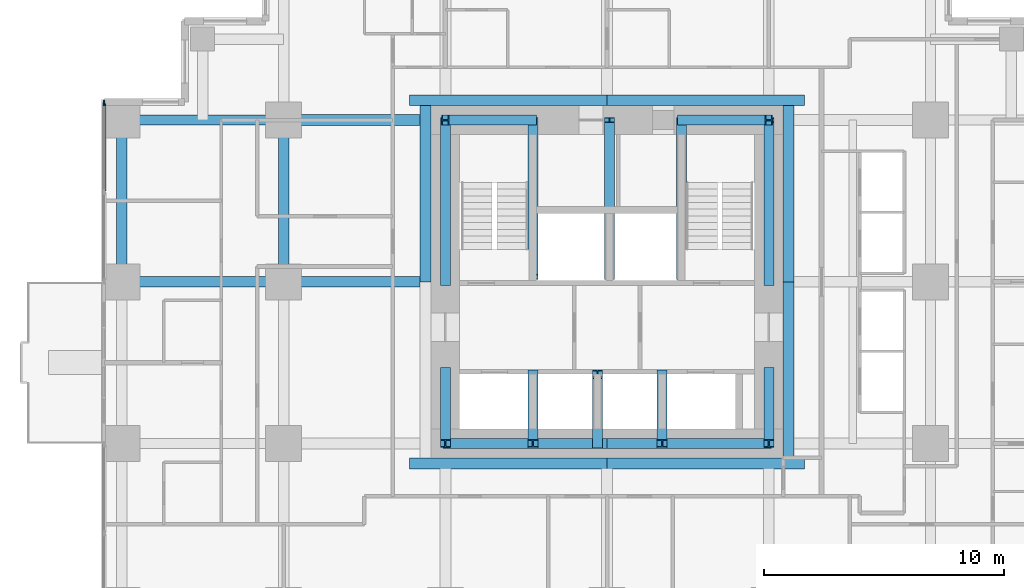
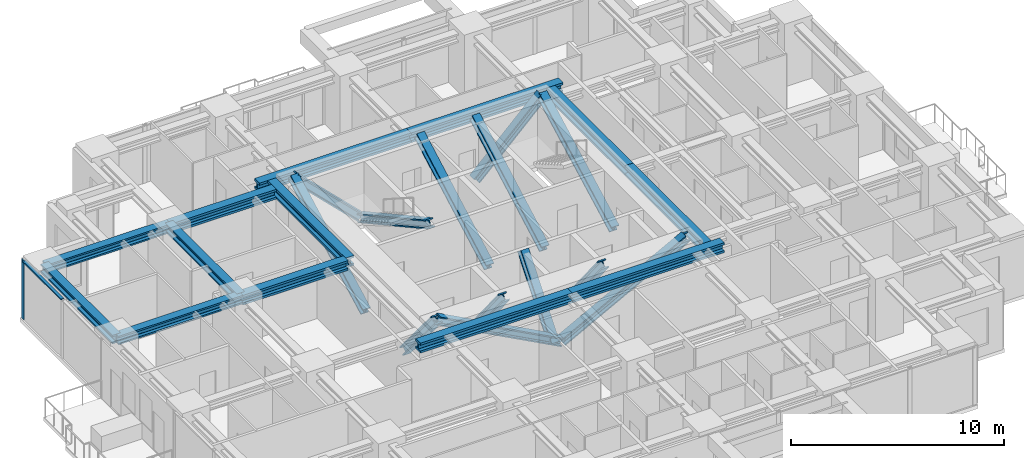
# One storey, part 3 of 13: 16 members, 13 beams, 1 element without a shape of its own.
"""IFC4 building model written with IfcOpenShell, lengths in metres."""

from ifc_helpers import new_model, si_unit, direction, frame, origin, origin_2d, place, context, subcontext, project, spatial, rectangle, i_section, extrude, material, material_profile, profile_set, type_object, element, aggregate, save


model = new_model("IFC4")

# Units and contexts
model_context = context("Model", 3, precision=1e-05, world=origin(), true_north=direction((0.0, 1.0)))
body_context = subcontext(model_context, "Body", "Model", "MODEL_VIEW")
ifc_project = project(units=[si_unit("LENGTHUNIT", "METRE"), si_unit("AREAUNIT", "SQUARE_METRE"), si_unit("VOLUMEUNIT", "CUBIC_METRE"), si_unit("PLANEANGLEUNIT", "RADIAN"), si_unit("MASSUNIT", "GRAM", prefix="KILO")], contexts=[model_context])

# Site, building, storey
site_placement = place(None, origin())
site = spatial("IfcSite", under=ifc_project, at=site_placement, CompositionType="ELEMENT")
building_placement = place(site_placement, origin())
building = spatial("IfcBuilding", under=site, at=building_placement, Name="Nyansa Garden Tower", CompositionType="ELEMENT")
storey_placement = place(building_placement, frame((0.0, 0.0, 123.300048828125)))
storey = spatial("IfcBuildingStorey", under=building, at=storey_placement, Name="L33", CompositionType="ELEMENT", Elevation=123.300048828125)

# Curtain wall, member
ifc_material_1 = material(Name="Black anodised aluminium, dark tinted double glazing", Category="aluminium")
curtain_wall_type = type_object("IfcCurtainWallType", Name="Inner skin curtain wall ISW-B", PredefinedType="USERDEFINED", material=ifc_material_1)
curtain_wall_placement = place(storey_placement, origin())
curtain_wall = element("IfcCurtainWall", 1, at=curtain_wall_placement, inside=storey, type_object=curtain_wall_type, Name="Inner skin curtain wall L33 W", ObjectType="UNITISED CURTAIN WALL", PredefinedType="USERDEFINED")
ifc_material_2 = material(Name="Black anodised aluminium", Category="aluminium")
ifc_material_profile_1 = material_profile(ifc_material_2, rectangle(XDim=0.06494140625, YDim=0.22509765625, at=origin_2d()), Name="Mullion 225x65")
ifc_profile_set_1 = profile_set([ifc_material_profile_1], Name="Black anodised aluminium")
member_type_1 = type_object("IfcMemberType", Name="Mullion ISW-B 225x65", PredefinedType="MULLION", material=ifc_profile_set_1)
member_1_placement = place(storey_placement, frame((-0.75, 27.717529296875, 0.0), z_axis=(0.0, 0.0, 1.0), x_axis=(1.0, 0.0, 0.0)))
member_1 = element("IfcMember", 2, at=member_1_placement, type_object=member_type_1, Name="ISW-B mullion 1", PredefinedType="MULLION", context=body_context, shape_type="SweptSolid", body=[
    extrude(rectangle(XDim=0.06494140625, YDim=0.22509765625, at=origin_2d()), origin(), (0.0, 0.0, 1.0), 3.375),
])

# Members
ifc_material_3 = material(Name="Steel S355", Category="steel")
ifc_material_profile_2 = material_profile(ifc_material_3, i_section(OverallWidth=0.41796875, OverallDepth=0.455078125, WebThickness=0.0419921875, FlangeThickness=0.067626953125, FilletRadius=0.014892578125, at=origin_2d()), Name="HD 400x463")
ifc_profile_set_2 = profile_set([ifc_material_profile_2], Name="Steel S355")
member_type_2 = type_object("IfcMemberType", Name="Perimeter brace HD 400x463", PredefinedType="BRACE", material=ifc_profile_set_2)
for number, where, z_axis, x_axis, name in (
    (3, (20.25, 13.5, 0.0), (-0.882360891967, 0.0, 0.470573327259), (0.0, -1.0, 0.0), "Core brace CS1 L33"),
    (4, (20.25, 13.5, 0.0), (0.882360891967, 0.0, 0.470573327259), (0.0, 1.0, 0.0), "Core brace CS2 L33"),
):
    element("IfcMember", number, at=place(storey_placement, frame(where, z_axis=z_axis, x_axis=x_axis)), inside=storey, type_object=member_type_2, Name=name, PredefinedType="BRACE", context=body_context, shape_type="SweptSolid", body=[
        extrude(i_section(OverallWidth=0.41796875, OverallDepth=0.455078125, WebThickness=0.0419921875, FlangeThickness=0.067626953125, FilletRadius=0.014892578125, at=origin_2d()), origin(), (0.0, 0.0, 1.0), 7.64990234375),
    ])
for number, where, z_axis, x_axis, name in (
    (5, (17.14990234375, 27.0, 0.0), (-0.711971340796, 0.0, 0.702208523079), (0.0, -1.0, 0.0), "Core brace CN3 L33"),
    (6, (23.35009765625, 27.0, 0.0), (0.711971340796, 0.0, 0.702208523079), (0.0, 1.0, 0.0), "Core brace CN4 L33"),
):
    element("IfcMember", number, at=place(storey_placement, frame(where, z_axis=z_axis, x_axis=x_axis)), inside=storey, type_object=member_type_2, Name=name, PredefinedType="BRACE", context=body_context, shape_type="SweptSolid", body=[
        extrude(i_section(OverallWidth=0.41796875, OverallDepth=0.455078125, WebThickness=0.0419921875, FlangeThickness=0.067626953125, FilletRadius=0.014892578125, at=origin_2d()), origin(), (0.0, 0.0, 1.0), 5.12646484375),
    ])
member_2_placement = place(storey_placement, frame((13.5, 16.5, 0.0), z_axis=(0.0, -0.640199773186, 0.768208468069), x_axis=(1.0, 0.0, 0.0)))
element("IfcMember", 7, at=member_2_placement, inside=storey, type_object=member_type_2, Name="Core brace CW5 L33", PredefinedType="BRACE", context=body_context, shape_type="SweptSolid", body=[
    extrude(i_section(OverallWidth=0.41796875, OverallDepth=0.455078125, WebThickness=0.0419921875, FlangeThickness=0.067626953125, FilletRadius=0.014892578125, at=origin_2d()), origin(), (0.0, 0.0, 1.0), 4.68603515625),
])
member_3_placement = place(storey_placement, frame((13.5, 20.199951171875, 0.0), z_axis=(0.0, 0.883797178129, 0.467870225524), x_axis=(-1.0, 0.0, 0.0)))
element("IfcMember", 8, at=member_3_placement, inside=storey, type_object=member_type_2, Name="Core brace CW6 L33", PredefinedType="BRACE", context=body_context, shape_type="SweptSolid", body=[
    extrude(i_section(OverallWidth=0.41796875, OverallDepth=0.455078125, WebThickness=0.0419921875, FlangeThickness=0.067626953125, FilletRadius=0.014892578125, at=origin_2d()), origin(), (0.0, 0.0, 1.0), 7.694091796875),
])
member_4_placement = place(storey_placement, frame((27.0, 16.5, 0.0), z_axis=(0.0, -0.640199773186, 0.768208468069), x_axis=(1.0, 0.0, 0.0)))
element("IfcMember", 9, at=member_4_placement, inside=storey, type_object=member_type_2, Name="Core brace CE7 L33", PredefinedType="BRACE", context=body_context, shape_type="SweptSolid", body=[
    extrude(i_section(OverallWidth=0.41796875, OverallDepth=0.455078125, WebThickness=0.0419921875, FlangeThickness=0.067626953125, FilletRadius=0.014892578125, at=origin_2d()), origin(), (0.0, 0.0, 1.0), 4.68603515625),
])
member_5_placement = place(storey_placement, frame((27.0, 20.199951171875, 0.0), z_axis=(0.0, 0.883797178129, 0.467870225524), x_axis=(-1.0, 0.0, 0.0)))
element("IfcMember", 10, at=member_5_placement, inside=storey, type_object=member_type_2, Name="Core brace CE8 L33", PredefinedType="BRACE", context=body_context, shape_type="SweptSolid", body=[
    extrude(i_section(OverallWidth=0.41796875, OverallDepth=0.455078125, WebThickness=0.0419921875, FlangeThickness=0.067626953125, FilletRadius=0.014892578125, at=origin_2d()), origin(), (0.0, 0.0, 1.0), 7.694091796875),
])
for number, where, z_axis, x_axis, name in (
    (11, (17.14990234375, 27.0, 0.0), (0.0, -0.876366901673, 0.481644115143), (1.0, 0.0, 0.0), "Core brace CWS9 L33"),
    (12, (23.35009765625, 20.449951171875, 0.0), (0.0, 0.876366901673, 0.481644115143), (-1.0, 0.0, 0.0), "Core brace CES10 L33"),
):
    element("IfcMember", number, at=place(storey_placement, frame(where, z_axis=z_axis, x_axis=x_axis)), inside=storey, type_object=member_type_2, Name=name, PredefinedType="BRACE", context=body_context, shape_type="SweptSolid", body=[
        extrude(i_section(OverallWidth=0.41796875, OverallDepth=0.455078125, WebThickness=0.0419921875, FlangeThickness=0.067626953125, FilletRadius=0.014892578125, at=origin_2d()), origin(), (0.0, 0.0, 1.0), 7.47412109375),
    ])
for number, where, z_axis, x_axis, name in (
    (13, (17.14990234375, 16.39990234375, 0.0), (0.0, -0.627332207022, 0.778751758928), (1.0, 0.0, 0.0), "Core brace CSW11 L33"),
    (14, (19.85009765625, 13.5, 0.0), (0.0, 0.627332207022, 0.778751758928), (-1.0, 0.0, 0.0), "Core brace CSW12 L33"),
    (15, (22.550048828125, 16.39990234375, 0.0), (0.0, -0.627332207022, 0.778751758928), (1.0, 0.0, 0.0), "Core brace CSW13 L33"),
):
    element("IfcMember", number, at=place(storey_placement, frame(where, z_axis=z_axis, x_axis=x_axis)), inside=storey, type_object=member_type_2, Name=name, PredefinedType="BRACE", context=body_context, shape_type="SweptSolid", body=[
        extrude(i_section(OverallWidth=0.41796875, OverallDepth=0.455078125, WebThickness=0.0419921875, FlangeThickness=0.067626953125, FilletRadius=0.014892578125, at=origin_2d()), origin(), (0.0, 0.0, 1.0), 4.62255859375),
    ])
member_6_placement = place(storey_placement, frame((20.35009765625, 20.449951171875, 0.0), z_axis=(0.0, 0.876366901673, 0.481644115143), x_axis=(-1.0, 0.0, 0.0)))
element("IfcMember", 16, at=member_6_placement, inside=storey, type_object=member_type_2, Name="Core brace CNW14 L33", PredefinedType="BRACE", context=body_context, shape_type="SweptSolid", body=[
    extrude(i_section(OverallWidth=0.41796875, OverallDepth=0.455078125, WebThickness=0.0419921875, FlangeThickness=0.067626953125, FilletRadius=0.014892578125, at=origin_2d()), origin(), (0.0, 0.0, 1.0), 7.47412109375),
])

# Beams
ifc_material_4 = material(Name="Steel S355", Category="steel")
ifc_material_profile_3 = material_profile(ifc_material_4, i_section(OverallWidth=0.431884765625, OverallDepth=0.498046875, WebThickness=0.0556640625, FlangeThickness=0.0888671875, FilletRadius=0.014892578125, at=origin_2d()), Name="HD 400x744")
ifc_profile_set_3 = profile_set([ifc_material_profile_3], Name="Steel S355")
beam_type_1 = type_object("IfcBeamType", Name="Steel beam SBB1-744 HD 400x744", PredefinedType="BEAM", material=ifc_profile_set_3)
for number, where, z_axis, x_axis, name in (
    (17, (0.0, 20.25, 3.1259765625), (1.0, 0.0, 0.0), (0.0, 1.0, 0.0), "Steel beam 2/G-3/G L34"),
    (18, (0.0, 27.0, 3.1259765625), (1.0, 0.0, 0.0), (0.0, 1.0, 0.0), "Steel beam 2/H-3/H L34"),
    (19, (6.75, 20.25, 3.1259765625), (0.0, 1.0, 0.0), (-1.0, 0.0, 0.0), "Steel beam 3/G-3/H L34"),
):
    element("IfcBeam", number, at=place(storey_placement, frame(where, z_axis=z_axis, x_axis=x_axis)), inside=storey, type_object=beam_type_1, Name=name, PredefinedType="BEAM", context=body_context, shape_type="SweptSolid", body=[
        extrude(i_section(OverallWidth=0.431884765625, OverallDepth=0.498046875, WebThickness=0.0556640625, FlangeThickness=0.0888671875, FilletRadius=0.014892578125, at=origin_2d()), origin(), (0.0, 0.0, 1.0), 6.75),
    ])
ifc_material_5 = material(Name="Steel S355", Category="steel")
ifc_material_profile_4 = material_profile(ifc_material_5, i_section(OverallWidth=0.4541015625, OverallDepth=0.569091796875, WebThickness=0.077880859375, FlangeThickness=0.125, FilletRadius=0.014892578125, at=origin_2d()), Name="HD 400x1086")
ifc_profile_set_4 = profile_set([ifc_material_profile_4], Name="Steel S355")
beam_type_2 = type_object("IfcBeamType", Name="Steel beam SCL-1086 HD 400x1086", PredefinedType="BEAM", material=ifc_profile_set_4)
for number, where, z_axis, x_axis, name in (
    (20, (6.75, 20.25, 3.09033203125), (1.0, 0.0, 0.0), (0.0, 1.0, 0.0), "Steel beam 3/G-12.450/G L34"),
    (21, (6.75, 27.0, 3.09033203125), (1.0, 0.0, 0.0), (0.0, 1.0, 0.0), "Steel beam 3/H-12.450/H L34"),
):
    element("IfcBeam", number, at=place(storey_placement, frame(where, z_axis=z_axis, x_axis=x_axis)), inside=storey, type_object=beam_type_2, Name=name, PredefinedType="BEAM", context=body_context, shape_type="SweptSolid", body=[
        extrude(i_section(OverallWidth=0.4541015625, OverallDepth=0.569091796875, WebThickness=0.077880859375, FlangeThickness=0.125, FilletRadius=0.014892578125, at=origin_2d()), origin(), (0.0, 0.0, 1.0), 5.699951171875),
    ])
for number, where, z_axis, x_axis, name in (
    (22, (12.0, 12.673095703125, 3.09033203125), (1.0, 0.0, 0.0), (0.0, 1.0, 0.0), "Steel core ledger beam S.1 L34"),
    (23, (20.25, 12.673095703125, 3.09033203125), (1.0, 0.0, 0.0), (0.0, 1.0, 0.0), "Steel core ledger beam S.2 L34"),
):
    element("IfcBeam", number, at=place(storey_placement, frame(where, z_axis=z_axis, x_axis=x_axis)), inside=storey, type_object=beam_type_2, Name=name, PredefinedType="BEAM", context=body_context, shape_type="SweptSolid", body=[
        extrude(i_section(OverallWidth=0.4541015625, OverallDepth=0.569091796875, WebThickness=0.077880859375, FlangeThickness=0.125, FilletRadius=0.014892578125, at=origin_2d()), origin(), (0.0, 0.0, 1.0), 8.25),
    ])
for number, where, z_axis, x_axis, name in (
    (24, (27.826904296875, 12.89990234375, 3.09033203125), (0.0, 1.0, 0.0), (-1.0, 0.0, 0.0), "Steel core ledger beam E.1 L34"),
    (25, (27.826904296875, 20.25, 3.09033203125), (0.0, 1.0, 0.0), (-1.0, 0.0, 0.0), "Steel core ledger beam E.2 L34"),
):
    element("IfcBeam", number, at=place(storey_placement, frame(where, z_axis=z_axis, x_axis=x_axis)), inside=storey, type_object=beam_type_2, Name=name, PredefinedType="BEAM", context=body_context, shape_type="SweptSolid", body=[
        extrude(i_section(OverallWidth=0.4541015625, OverallDepth=0.569091796875, WebThickness=0.077880859375, FlangeThickness=0.125, FilletRadius=0.014892578125, at=origin_2d()), origin(), (0.0, 0.0, 1.0), 7.35009765625),
    ])
for number, where, z_axis, x_axis, name in (
    (26, (28.5, 27.826904296875, 3.09033203125), (-1.0, 0.0, 0.0), (0.0, -1.0, 0.0), "Steel core ledger beam N.1 L34"),
    (27, (20.25, 27.826904296875, 3.09033203125), (-1.0, 0.0, 0.0), (0.0, -1.0, 0.0), "Steel core ledger beam N.2 L34"),
):
    element("IfcBeam", number, at=place(storey_placement, frame(where, z_axis=z_axis, x_axis=x_axis)), inside=storey, type_object=beam_type_2, Name=name, PredefinedType="BEAM", context=body_context, shape_type="SweptSolid", body=[
        extrude(i_section(OverallWidth=0.4541015625, OverallDepth=0.569091796875, WebThickness=0.077880859375, FlangeThickness=0.125, FilletRadius=0.014892578125, at=origin_2d()), origin(), (0.0, 0.0, 1.0), 8.25),
    ])
beam_1_placement = place(storey_placement, frame((12.673095703125, 27.60009765625, 3.09033203125), z_axis=(0.0, -1.0, 0.0), x_axis=(1.0, 0.0, 0.0)))
element("IfcBeam", 28, at=beam_1_placement, inside=storey, type_object=beam_type_2, Name="Steel core ledger beam W.1 L34", PredefinedType="BEAM", context=body_context, shape_type="SweptSolid", body=[
    extrude(i_section(OverallWidth=0.4541015625, OverallDepth=0.569091796875, WebThickness=0.077880859375, FlangeThickness=0.125, FilletRadius=0.014892578125, at=origin_2d()), origin(), (0.0, 0.0, 1.0), 7.35009765625),
])
ifc_material_6 = material(Name="Steel S355", Category="steel")
ifc_material_profile_5 = material_profile(ifc_material_6, i_section(OverallWidth=0.431884765625, OverallDepth=0.498046875, WebThickness=0.0556640625, FlangeThickness=0.0888671875, FilletRadius=0.014892578125, at=origin_2d()), Name="HD 400x744")
ifc_profile_set_5 = profile_set([ifc_material_profile_5], Name="Steel S355")
beam_type_3 = type_object("IfcBeamType", Name="Steel beam SEBB-744 HD 400x744", PredefinedType="BEAM", material=ifc_profile_set_5)
beam_2_placement = place(storey_placement, frame((0.0, 20.25, 3.1259765625), z_axis=(0.0, 1.0, 0.0), x_axis=(-1.0, 0.0, 0.0)))
element("IfcBeam", 29, at=beam_2_placement, inside=storey, type_object=beam_type_3, Name="Steel edge beam 2/G-2/H L34", PredefinedType="BEAM", context=body_context, shape_type="SweptSolid", body=[
    extrude(i_section(OverallWidth=0.431884765625, OverallDepth=0.498046875, WebThickness=0.0556640625, FlangeThickness=0.0888671875, FilletRadius=0.014892578125, at=origin_2d()), origin(), (0.0, 0.0, 1.0), 6.75),
])

# Member
ifc_material_7 = material(Name="Black anodised aluminium", Category="aluminium")
ifc_material_profile_6 = material_profile(ifc_material_7, rectangle(XDim=0.1650390625, YDim=0.06494140625, at=origin_2d()), Name="Transom 165x65")
ifc_profile_set_6 = profile_set([ifc_material_profile_6], Name="Black anodised aluminium")
member_type_3 = type_object("IfcMemberType", Name="Transom ISW-B 165x65", PredefinedType="USERDEFINED", material=ifc_profile_set_6)
member_7_placement = place(storey_placement, frame((-0.75, 27.68505859375, 3.342529296875), z_axis=(0.0, -1.0, 0.0), x_axis=(1.0, 0.0, 0.0)))
member_7 = element("IfcMember", 30, at=member_7_placement, type_object=member_type_3, Name="ISW-B transom 1", ObjectType="TRANSOM", PredefinedType="USERDEFINED", context=body_context, shape_type="SweptSolid", body=[
    extrude(rectangle(XDim=0.1650390625, YDim=0.06494140625, at=origin_2d()), origin(), (0.0, 0.0, 1.0), 3.652587890625),
])

aggregate(curtain_wall, [member_1, member_7])

save(model, "model.ifc")
